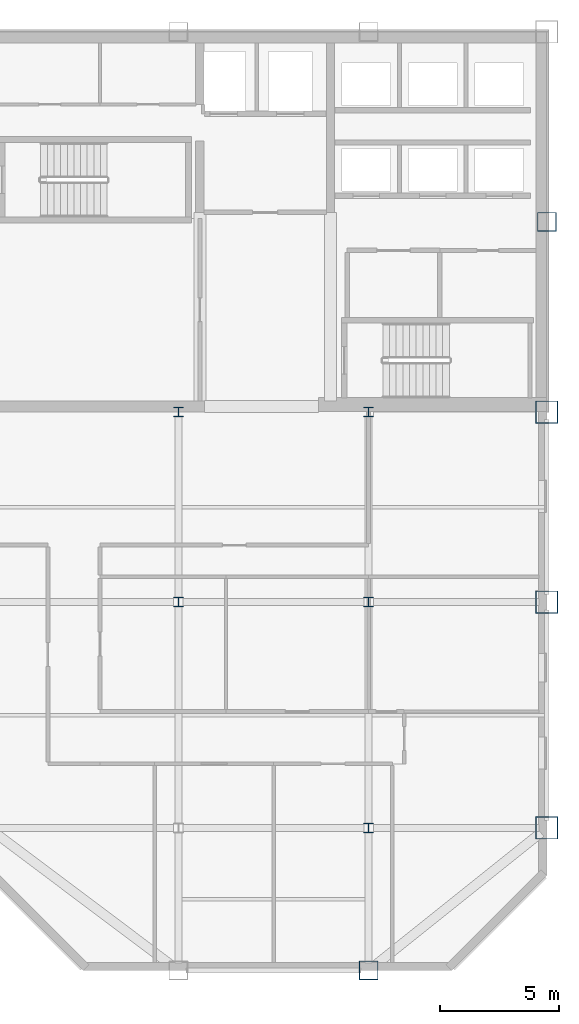
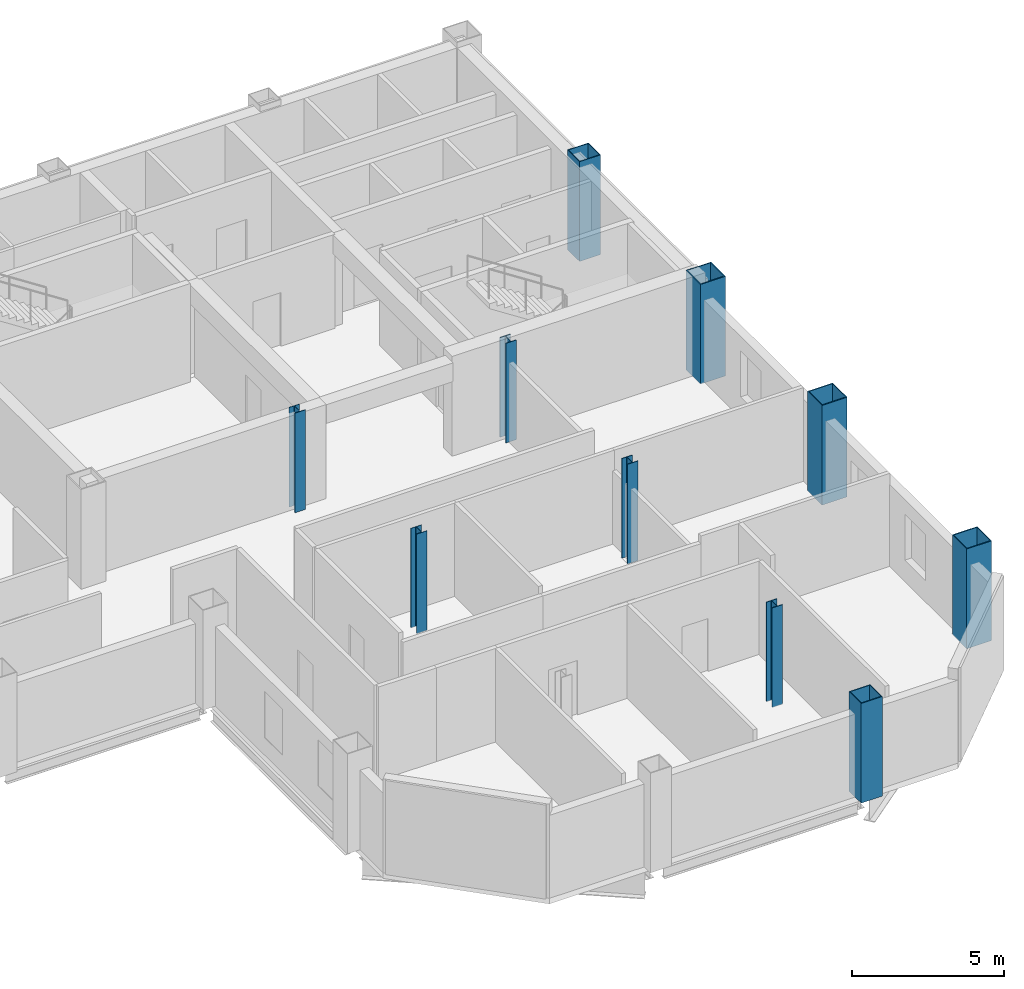
# One storey, part 2 of 11: 10 columns.
"""IFC4 building model written with IfcOpenShell, lengths in metres."""

from ifc_helpers import new_model, si_unit, direction, frame, origin, origin_2d, place, context, subcontext, project, spatial, hollow_rectangle, i_section, extrude, material, material_profile, profile_set, type_object, element, save


model = new_model("IFC4")

# Units and contexts
model_context = context("Model", 3, precision=1e-05, world=origin(), true_north=direction((0.0, 1.0)))
body_context = subcontext(model_context, "Body", "Model", "MODEL_VIEW")
ifc_project = project(units=[si_unit("LENGTHUNIT", "METRE"), si_unit("AREAUNIT", "SQUARE_METRE"), si_unit("VOLUMEUNIT", "CUBIC_METRE"), si_unit("PLANEANGLEUNIT", "RADIAN"), si_unit("MASSUNIT", "GRAM", prefix="KILO")], contexts=[model_context])

# Site, building, storey
site_placement = place(None, origin())
site = spatial("IfcSite", under=ifc_project, at=site_placement, CompositionType="ELEMENT")
building_placement = place(site_placement, origin())
building = spatial("IfcBuilding", under=site, at=building_placement, Name="Qianrong Seaharbour Tower", CompositionType="ELEMENT")
storey_placement = place(building_placement, frame((0.0, 0.0, 265.800048828125)))
storey = spatial("IfcBuildingStorey", under=building, at=storey_placement, Name="L64", CompositionType="ELEMENT", Elevation=265.800048828125)

# Columns
ifc_material = material(Name="Structural steel SN490B", Category="steel")
ifc_material_profile_1 = material_profile(ifc_material, hollow_rectangle(XDim=0.949951171875, YDim=0.949951171875, WallThickness=0.035888671875, at=origin_2d()), Name="BOX950x950x36")
ifc_profile_set_1 = profile_set([ifc_material_profile_1], Name="Structural steel SN490B")
column_type_1 = type_object("IfcColumnType", Name="COL-CFT-950", PredefinedType="COLUMN", material=ifc_profile_set_1)
for number, where, z_axis, x_axis, name in (
    (1, (64.0, 18.5, 0.0), (0.0, 0.0, 1.0), (1.0, 0.0, 0.0), "L64 Column MC-4 at G9/GD"),
    (2, (64.0, 28.0, 0.0), (0.0, 0.0, 1.0), (1.0, 0.0, 0.0), "L64 Column MC-4 at G9/GE"),
    (3, (64.0, 36.0, 0.0), (0.0, 0.0, 1.0), (1.0, 0.0, 0.0), "L64 Column MC-4 at G9/GF"),
):
    element("IfcColumn", number, at=place(storey_placement, frame(where, z_axis=z_axis, x_axis=x_axis)), inside=storey, type_object=column_type_1, Name=name, PredefinedType="COLUMN", context=body_context, shape_type="SweptSolid", body=[
        extrude(hollow_rectangle(XDim=0.949951171875, YDim=0.949951171875, WallThickness=0.035888671875, at=origin_2d()), origin(), (0.0, 0.0, 1.0), 4.0),
    ])
ifc_material_profile_2 = material_profile(ifc_material, i_section(OverallWidth=0.39990234375, OverallDepth=0.39990234375, WebThickness=0.012939453125, FlangeThickness=0.02099609375, FilletRadius=0.02197265625, at=origin_2d()), Name="H400x400x13x21")
ifc_profile_set_2 = profile_set([ifc_material_profile_2], Name="Structural steel SN490B")
column_type_2 = type_object("IfcColumnType", Name="COL-INT-H400", PredefinedType="COLUMN", material=ifc_profile_set_2)
for number, where, z_axis, x_axis, name in (
    (4, (48.5, 28.0, 0.0), (0.0, 0.0, 1.0), (1.0, 0.0, 0.0), "L64 Column IC-3 at G7/GE"),
    (5, (48.5, 36.0, 0.0), (0.0, 0.0, 1.0), (1.0, 0.0, 0.0), "L64 Column IC-3 at G7/GF"),
    (6, (56.5, 18.5, 0.0), (0.0, 0.0, 1.0), (1.0, 0.0, 0.0), "L64 Column IC-3 at G8/GD"),
    (7, (56.5, 28.0, 0.0), (0.0, 0.0, 1.0), (1.0, 0.0, 0.0), "L64 Column IC-3 at G8/GE"),
    (8, (56.5, 36.0, 0.0), (0.0, 0.0, 1.0), (1.0, 0.0, 0.0), "L64 Column IC-3 at G8/GF"),
):
    element("IfcColumn", number, at=place(storey_placement, frame(where, z_axis=z_axis, x_axis=x_axis)), inside=storey, type_object=column_type_2, Name=name, PredefinedType="COLUMN", context=body_context, shape_type="SweptSolid", body=[
        extrude(i_section(OverallWidth=0.39990234375, OverallDepth=0.39990234375, WebThickness=0.012939453125, FlangeThickness=0.02099609375, FilletRadius=0.02197265625, at=origin_2d()), origin(), (0.0, 0.0, 1.0), 4.0),
    ])
ifc_material_profile_3 = material_profile(ifc_material, hollow_rectangle(XDim=0.800048828125, YDim=0.800048828125, WallThickness=0.031982421875, at=origin_2d()), Name="BOX800x800x32")
ifc_profile_set_3 = profile_set([ifc_material_profile_3], Name="Structural steel SN490B")
column_type_3 = type_object("IfcColumnType", Name="COL-PER-800", PredefinedType="COLUMN", material=ifc_profile_set_3)
for number, where, z_axis, x_axis, name in (
    (9, (56.5, 12.5, 0.0), (0.0, 0.0, 1.0), (1.0, 0.0, 0.0), "L64 Column PC-3 at G8/GC"),
    (10, (64.0, 44.0, 0.0), (0.0, 0.0, 1.0), (1.0, 0.0, 0.0), "L64 Column PC-3 at G9/GG"),
):
    element("IfcColumn", number, at=place(storey_placement, frame(where, z_axis=z_axis, x_axis=x_axis)), inside=storey, type_object=column_type_3, Name=name, PredefinedType="COLUMN", context=body_context, shape_type="SweptSolid", body=[
        extrude(hollow_rectangle(XDim=0.800048828125, YDim=0.800048828125, WallThickness=0.031982421875, at=origin_2d()), origin(), (0.0, 0.0, 1.0), 4.0),
    ])

save(model, "model.ifc")
